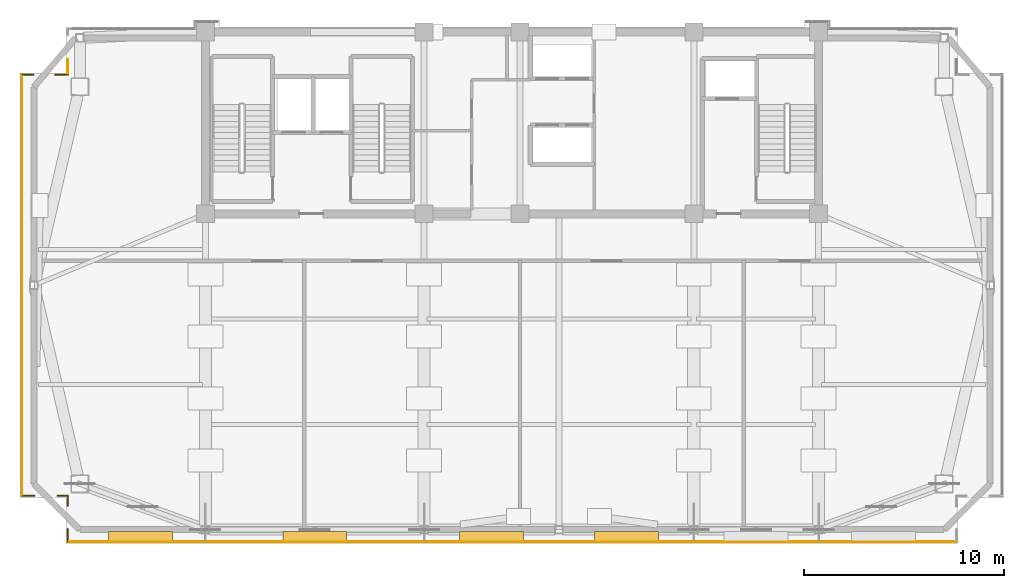
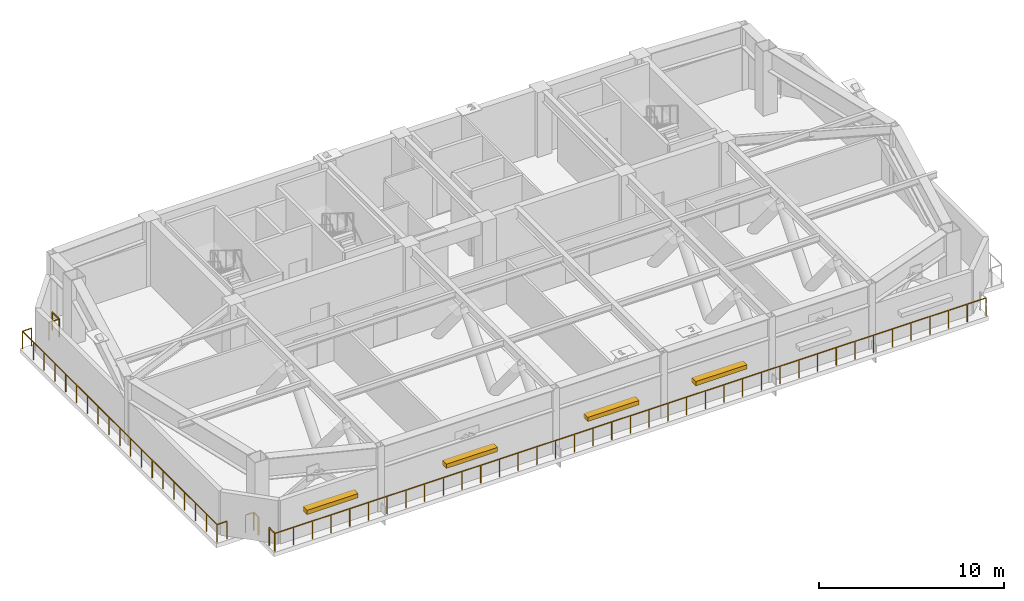
# One storey, part 5 of 7: 9 railings, 4 shading devices.
"""IFC4 building model written with IfcOpenShell, lengths in metres."""

from ifc_helpers import new_model, si_unit, direction, frame, origin, origin_2d, place, context, subcontext, project, spatial, rectangle, extrude, source, transform, mapped, material, type_object, element, save


model = new_model("IFC4")

# Units and contexts
model_context = context("Model", 3, precision=1e-05, world=origin(), true_north=direction((0.0, 1.0)))
body_context = subcontext(model_context, "Body", "Model", "MODEL_VIEW")
ifc_project = project(units=[si_unit("LENGTHUNIT", "METRE"), si_unit("AREAUNIT", "SQUARE_METRE"), si_unit("VOLUMEUNIT", "CUBIC_METRE"), si_unit("PLANEANGLEUNIT", "RADIAN"), si_unit("MASSUNIT", "GRAM", prefix="KILO")], contexts=[model_context])

# Site, building, storey
site_placement = place(None, origin())
site = spatial("IfcSite", under=ifc_project, at=site_placement, CompositionType="ELEMENT")
building_placement = place(site_placement, origin())
building = spatial("IfcBuilding", under=site, at=building_placement, Name="Giltprow Tower", CompositionType="ELEMENT")
storey_placement = place(building_placement, frame((0.0, 0.0, 327.800048828125)))
storey = spatial("IfcBuildingStorey", under=building, at=storey_placement, Name="L85", CompositionType="ELEMENT", Elevation=327.800048828125)

# Railings
ifc_material = material(Name="Anodized bronze", Category="metal")
railing_type = type_object("IfcRailingType", Name="RAIL-BALC-GUARD-1200", PredefinedType="BALUSTRADE", material=ifc_material)
railing_1_placement = place(storey_placement, frame((57.43798828125, 21.035888671875, 0.0)))
element("IfcRailing", 1, at=railing_1_placement, inside=storey, type_object=railing_type, Name="L85 Corner Apron Edge Balustrade 6", PredefinedType="BALUSTRADE", context=body_context, shape_type="SweptSolid", body=[
    extrude(rectangle(XDim=0.048095703125, YDim=0.048095703125, at=origin_2d()), frame((0.0, 0.0, 1.17578125), z_axis=(-1.0, 0.0, 0.0), x_axis=(0.0, -1.0, 0.0)), (0.0, 0.0, 1.0), 44.47607421875),
    extrude(rectangle(XDim=0.0419921875, YDim=0.0419921875, at=origin_2d()), origin(), (0.0, 0.0, 1.0), 1.15185546875),
    extrude(rectangle(XDim=0.0419921875, YDim=0.0419921875, at=origin_2d()), frame((-1.17041015625, 0.0, 0.0)), (0.0, 0.0, 1.0), 1.15185546875),
    extrude(rectangle(XDim=0.0419921875, YDim=0.0419921875, at=origin_2d()), frame((-2.3408203125, 0.0, 0.0)), (0.0, 0.0, 1.0), 1.15185546875),
    extrude(rectangle(XDim=0.0419921875, YDim=0.0419921875, at=origin_2d()), frame((-3.51123046875, 0.0, 0.0)), (0.0, 0.0, 1.0), 1.15185546875),
    extrude(rectangle(XDim=0.0419921875, YDim=0.0419921875, at=origin_2d()), frame((-4.681640625, 0.0, 0.0)), (0.0, 0.0, 1.0), 1.15185546875),
    extrude(rectangle(XDim=0.0419921875, YDim=0.0419921875, at=origin_2d()), frame((-5.85205078125, 0.0, 0.0)), (0.0, 0.0, 1.0), 1.15185546875),
    extrude(rectangle(XDim=0.0419921875, YDim=0.0419921875, at=origin_2d()), frame((-7.0224609375, 0.0, 0.0)), (0.0, 0.0, 1.0), 1.15185546875),
    extrude(rectangle(XDim=0.0419921875, YDim=0.0419921875, at=origin_2d()), frame((-8.19287109375, 0.0, 0.0)), (0.0, 0.0, 1.0), 1.15185546875),
    extrude(rectangle(XDim=0.0419921875, YDim=0.0419921875, at=origin_2d()), frame((-9.36328125, 0.0, 0.0)), (0.0, 0.0, 1.0), 1.15185546875),
    extrude(rectangle(XDim=0.0419921875, YDim=0.0419921875, at=origin_2d()), frame((-10.53369140625, 0.0, 0.0)), (0.0, 0.0, 1.0), 1.15185546875),
    extrude(rectangle(XDim=0.0419921875, YDim=0.0419921875, at=origin_2d()), frame((-11.704345703125, 0.0, 0.0)), (0.0, 0.0, 1.0), 1.15185546875),
    extrude(rectangle(XDim=0.0419921875, YDim=0.0419921875, at=origin_2d()), frame((-12.874755859375, 0.0, 0.0)), (0.0, 0.0, 1.0), 1.15185546875),
    extrude(rectangle(XDim=0.0419921875, YDim=0.0419921875, at=origin_2d()), frame((-14.045166015625, 0.0, 0.0)), (0.0, 0.0, 1.0), 1.15185546875),
    extrude(rectangle(XDim=0.0419921875, YDim=0.0419921875, at=origin_2d()), frame((-15.215576171875, 0.0, 0.0)), (0.0, 0.0, 1.0), 1.15185546875),
    extrude(rectangle(XDim=0.0419921875, YDim=0.0419921875, at=origin_2d()), frame((-16.385986328125, 0.0, 0.0)), (0.0, 0.0, 1.0), 1.15185546875),
    extrude(rectangle(XDim=0.0419921875, YDim=0.0419921875, at=origin_2d()), frame((-17.556396484375, 0.0, 0.0)), (0.0, 0.0, 1.0), 1.15185546875),
    extrude(rectangle(XDim=0.0419921875, YDim=0.0419921875, at=origin_2d()), frame((-18.726806640625, 0.0, 0.0)), (0.0, 0.0, 1.0), 1.15185546875),
    extrude(rectangle(XDim=0.0419921875, YDim=0.0419921875, at=origin_2d()), frame((-19.897216796875, 0.0, 0.0)), (0.0, 0.0, 1.0), 1.15185546875),
    extrude(rectangle(XDim=0.0419921875, YDim=0.0419921875, at=origin_2d()), frame((-21.067626953125, 0.0, 0.0)), (0.0, 0.0, 1.0), 1.15185546875),
    extrude(rectangle(XDim=0.0419921875, YDim=0.0419921875, at=origin_2d()), frame((-22.238037109375, 0.0, 0.0)), (0.0, 0.0, 1.0), 1.15185546875),
    extrude(rectangle(XDim=0.0419921875, YDim=0.0419921875, at=origin_2d()), frame((-23.408447265625, 0.0, 0.0)), (0.0, 0.0, 1.0), 1.15185546875),
    extrude(rectangle(XDim=0.0419921875, YDim=0.0419921875, at=origin_2d()), frame((-24.578857421875, 0.0, 0.0)), (0.0, 0.0, 1.0), 1.15185546875),
    extrude(rectangle(XDim=0.0419921875, YDim=0.0419921875, at=origin_2d()), frame((-25.749267578125, 0.0, 0.0)), (0.0, 0.0, 1.0), 1.15185546875),
    extrude(rectangle(XDim=0.0419921875, YDim=0.0419921875, at=origin_2d()), frame((-26.919677734375, 0.0, 0.0)), (0.0, 0.0, 1.0), 1.15185546875),
    extrude(rectangle(XDim=0.0419921875, YDim=0.0419921875, at=origin_2d()), frame((-28.090087890625, 0.0, 0.0)), (0.0, 0.0, 1.0), 1.15185546875),
    extrude(rectangle(XDim=0.0419921875, YDim=0.0419921875, at=origin_2d()), frame((-29.260498046875, 0.0, 0.0)), (0.0, 0.0, 1.0), 1.15185546875),
    extrude(rectangle(XDim=0.0419921875, YDim=0.0419921875, at=origin_2d()), frame((-30.430908203125, 0.0, 0.0)), (0.0, 0.0, 1.0), 1.15185546875),
    extrude(rectangle(XDim=0.0419921875, YDim=0.0419921875, at=origin_2d()), frame((-31.601318359375, 0.0, 0.0)), (0.0, 0.0, 1.0), 1.15185546875),
    extrude(rectangle(XDim=0.0419921875, YDim=0.0419921875, at=origin_2d()), frame((-32.771728515625, 0.0, 0.0)), (0.0, 0.0, 1.0), 1.15185546875),
    extrude(rectangle(XDim=0.0419921875, YDim=0.0419921875, at=origin_2d()), frame((-33.9423828125, 0.0, 0.0)), (0.0, 0.0, 1.0), 1.15185546875),
    extrude(rectangle(XDim=0.0419921875, YDim=0.0419921875, at=origin_2d()), frame((-35.11279296875, 0.0, 0.0)), (0.0, 0.0, 1.0), 1.15185546875),
    extrude(rectangle(XDim=0.0419921875, YDim=0.0419921875, at=origin_2d()), frame((-36.283203125, 0.0, 0.0)), (0.0, 0.0, 1.0), 1.15185546875),
    extrude(rectangle(XDim=0.0419921875, YDim=0.0419921875, at=origin_2d()), frame((-37.45361328125, 0.0, 0.0)), (0.0, 0.0, 1.0), 1.15185546875),
    extrude(rectangle(XDim=0.0419921875, YDim=0.0419921875, at=origin_2d()), frame((-38.6240234375, 0.0, 0.0)), (0.0, 0.0, 1.0), 1.15185546875),
    extrude(rectangle(XDim=0.0419921875, YDim=0.0419921875, at=origin_2d()), frame((-39.79443359375, 0.0, 0.0)), (0.0, 0.0, 1.0), 1.15185546875),
    extrude(rectangle(XDim=0.0419921875, YDim=0.0419921875, at=origin_2d()), frame((-40.96484375, 0.0, 0.0)), (0.0, 0.0, 1.0), 1.15185546875),
    extrude(rectangle(XDim=0.0419921875, YDim=0.0419921875, at=origin_2d()), frame((-42.13525390625, 0.0, 0.0)), (0.0, 0.0, 1.0), 1.15185546875),
    extrude(rectangle(XDim=0.0419921875, YDim=0.0419921875, at=origin_2d()), frame((-43.3056640625, 0.0, 0.0)), (0.0, 0.0, 1.0), 1.15185546875),
    extrude(rectangle(XDim=0.0419921875, YDim=0.0419921875, at=origin_2d()), frame((-44.47607421875, 0.0, 0.0)), (0.0, 0.0, 1.0), 1.15185546875),
])
railing_2_placement = place(storey_placement, frame((12.9619140625, 21.035888671875, 0.0)))
element("IfcRailing", 2, at=railing_2_placement, inside=storey, type_object=railing_type, Name="L85 Corner Apron Edge Balustrade 7", PredefinedType="BALUSTRADE", context=body_context, shape_type="SweptSolid", body=[
    extrude(rectangle(XDim=0.048095703125, YDim=0.048095703125, at=origin_2d()), frame((0.0, 0.0, 1.17578125), z_axis=(0.0, 1.0, 0.0), x_axis=(-1.0, 0.0, 0.0)), (0.0, 0.0, 1.0), 0.6201171875),
    extrude(rectangle(XDim=0.0419921875, YDim=0.0419921875, at=origin_2d()), origin(), (0.0, 0.0, 1.0), 1.15185546875),
    extrude(rectangle(XDim=0.0419921875, YDim=0.0419921875, at=origin_2d()), frame((0.0, 0.6201171875, 0.0)), (0.0, 0.0, 1.0), 1.15185546875),
])
railing_3_placement = place(storey_placement, frame((12.9619140625, 22.81591796875, 0.0)))
element("IfcRailing", 3, at=railing_3_placement, inside=storey, type_object=railing_type, Name="L85 Corner Apron Edge Balustrade 8", PredefinedType="BALUSTRADE", context=body_context, shape_type="SweptSolid", body=[
    extrude(rectangle(XDim=0.048095703125, YDim=0.048095703125, at=origin_2d()), frame((0.0, 0.0, 1.17578125), z_axis=(0.0, 1.0, 0.0), x_axis=(-1.0, 0.0, 0.0)), (0.0, 0.0, 1.0), 0.511962890625),
    extrude(rectangle(XDim=0.0419921875, YDim=0.0419921875, at=origin_2d()), origin(), (0.0, 0.0, 1.0), 1.15185546875),
    extrude(rectangle(XDim=0.0419921875, YDim=0.0419921875, at=origin_2d()), frame((0.0, 0.511962890625, 0.0)), (0.0, 0.0, 1.0), 1.15185546875),
])
railing_4_placement = place(storey_placement, frame((12.9619140625, 23.327880859375, 0.0)))
element("IfcRailing", 4, at=railing_4_placement, inside=storey, type_object=railing_type, Name="L85 Corner Apron Edge Balustrade 9", PredefinedType="BALUSTRADE", context=body_context, shape_type="SweptSolid", body=[
    extrude(rectangle(XDim=0.048095703125, YDim=0.048095703125, at=origin_2d()), frame((0.0, 0.0, 1.17578125), z_axis=(-1.0, 0.0, 0.0), x_axis=(0.0, -1.0, 0.0)), (0.0, 0.0, 1.0), 0.511962890625),
    extrude(rectangle(XDim=0.0419921875, YDim=0.0419921875, at=origin_2d()), origin(), (0.0, 0.0, 1.0), 1.15185546875),
    extrude(rectangle(XDim=0.0419921875, YDim=0.0419921875, at=origin_2d()), frame((-0.511962890625, 0.0, 0.0)), (0.0, 0.0, 1.0), 1.15185546875),
])
railing_5_placement = place(storey_placement, frame((11.2900390625, 23.327880859375, 0.0)))
element("IfcRailing", 5, at=railing_5_placement, inside=storey, type_object=railing_type, Name="L85 Corner Apron Edge Balustrade 10", PredefinedType="BALUSTRADE", context=body_context, shape_type="SweptSolid", body=[
    extrude(rectangle(XDim=0.048095703125, YDim=0.048095703125, at=origin_2d()), frame((0.0, 0.0, 1.17578125), z_axis=(-1.0, 0.0, 0.0), x_axis=(0.0, -1.0, 0.0)), (0.0, 0.0, 1.0), 0.6201171875),
    extrude(rectangle(XDim=0.0419921875, YDim=0.0419921875, at=origin_2d()), origin(), (0.0, 0.0, 1.0), 1.15185546875),
    extrude(rectangle(XDim=0.0419921875, YDim=0.0419921875, at=origin_2d()), frame((-0.6201171875, 0.0, 0.0)), (0.0, 0.0, 1.0), 1.15185546875),
])
railing_6_placement = place(storey_placement, frame((10.669921875, 23.327880859375, 0.0)))
element("IfcRailing", 6, at=railing_6_placement, inside=storey, type_object=railing_type, Name="L85 Corner Apron Edge Balustrade 11", PredefinedType="BALUSTRADE", context=body_context, shape_type="SweptSolid", body=[
    extrude(rectangle(XDim=0.048095703125, YDim=0.048095703125, at=origin_2d()), frame((0.0, 0.0, 1.17578125), z_axis=(0.0, 1.0, 0.0), x_axis=(-1.0, 0.0, 0.0)), (0.0, 0.0, 1.0), 21.080078125),
    extrude(rectangle(XDim=0.0419921875, YDim=0.0419921875, at=origin_2d()), origin(), (0.0, 0.0, 1.0), 1.15185546875),
    extrude(rectangle(XDim=0.0419921875, YDim=0.0419921875, at=origin_2d()), frame((0.0, 1.171142578125, 0.0)), (0.0, 0.0, 1.0), 1.15185546875),
    extrude(rectangle(XDim=0.0419921875, YDim=0.0419921875, at=origin_2d()), frame((0.0, 2.34228515625, 0.0)), (0.0, 0.0, 1.0), 1.15185546875),
    extrude(rectangle(XDim=0.0419921875, YDim=0.0419921875, at=origin_2d()), frame((0.0, 3.513427734375, 0.0)), (0.0, 0.0, 1.0), 1.15185546875),
    extrude(rectangle(XDim=0.0419921875, YDim=0.0419921875, at=origin_2d()), frame((0.0, 4.6845703125, 0.0)), (0.0, 0.0, 1.0), 1.15185546875),
    extrude(rectangle(XDim=0.0419921875, YDim=0.0419921875, at=origin_2d()), frame((0.0, 5.85546875, 0.0)), (0.0, 0.0, 1.0), 1.15185546875),
    extrude(rectangle(XDim=0.0419921875, YDim=0.0419921875, at=origin_2d()), frame((0.0, 7.026611328125, 0.0)), (0.0, 0.0, 1.0), 1.15185546875),
    extrude(rectangle(XDim=0.0419921875, YDim=0.0419921875, at=origin_2d()), frame((0.0, 8.19775390625, 0.0)), (0.0, 0.0, 1.0), 1.15185546875),
    extrude(rectangle(XDim=0.0419921875, YDim=0.0419921875, at=origin_2d()), frame((0.0, 9.368896484375, 0.0)), (0.0, 0.0, 1.0), 1.15185546875),
    extrude(rectangle(XDim=0.0419921875, YDim=0.0419921875, at=origin_2d()), frame((0.0, 10.5400390625, 0.0)), (0.0, 0.0, 1.0), 1.15185546875),
    extrude(rectangle(XDim=0.0419921875, YDim=0.0419921875, at=origin_2d()), frame((0.0, 11.711181640625, 0.0)), (0.0, 0.0, 1.0), 1.15185546875),
    extrude(rectangle(XDim=0.0419921875, YDim=0.0419921875, at=origin_2d()), frame((0.0, 12.88232421875, 0.0)), (0.0, 0.0, 1.0), 1.15185546875),
    extrude(rectangle(XDim=0.0419921875, YDim=0.0419921875, at=origin_2d()), frame((0.0, 14.053466796875, 0.0)), (0.0, 0.0, 1.0), 1.15185546875),
    extrude(rectangle(XDim=0.0419921875, YDim=0.0419921875, at=origin_2d()), frame((0.0, 15.224609375, 0.0)), (0.0, 0.0, 1.0), 1.15185546875),
    extrude(rectangle(XDim=0.0419921875, YDim=0.0419921875, at=origin_2d()), frame((0.0, 16.3955078125, 0.0)), (0.0, 0.0, 1.0), 1.15185546875),
    extrude(rectangle(XDim=0.0419921875, YDim=0.0419921875, at=origin_2d()), frame((0.0, 17.566650390625, 0.0)), (0.0, 0.0, 1.0), 1.15185546875),
    extrude(rectangle(XDim=0.0419921875, YDim=0.0419921875, at=origin_2d()), frame((0.0, 18.73779296875, 0.0)), (0.0, 0.0, 1.0), 1.15185546875),
    extrude(rectangle(XDim=0.0419921875, YDim=0.0419921875, at=origin_2d()), frame((0.0, 19.908935546875, 0.0)), (0.0, 0.0, 1.0), 1.15185546875),
    extrude(rectangle(XDim=0.0419921875, YDim=0.0419921875, at=origin_2d()), frame((0.0, 21.080078125, 0.0)), (0.0, 0.0, 1.0), 1.15185546875),
])
railing_7_placement = place(storey_placement, frame((10.669921875, 44.407958984375, 0.0)))
element("IfcRailing", 7, at=railing_7_placement, inside=storey, type_object=railing_type, Name="L85 Corner Apron Edge Balustrade 12", PredefinedType="BALUSTRADE", context=body_context, shape_type="SweptSolid", body=[
    extrude(rectangle(XDim=0.048095703125, YDim=0.048095703125, at=origin_2d()), frame((0.0, 0.0, 1.17578125), z_axis=(1.0, 0.0, 0.0), x_axis=(0.0, 1.0, 0.0)), (0.0, 0.0, 1.0), 0.573974609375),
    extrude(rectangle(XDim=0.0419921875, YDim=0.0419921875, at=origin_2d()), origin(), (0.0, 0.0, 1.0), 1.15185546875),
    extrude(rectangle(XDim=0.0419921875, YDim=0.0419921875, at=origin_2d()), frame((0.573974609375, 0.0, 0.0)), (0.0, 0.0, 1.0), 1.15185546875),
])
railing_8_placement = place(storey_placement, frame((12.323974609375, 44.407958984375, 0.0)))
element("IfcRailing", 8, at=railing_8_placement, inside=storey, type_object=railing_type, Name="L85 Corner Apron Edge Balustrade 13", PredefinedType="BALUSTRADE", context=body_context, shape_type="SweptSolid", body=[
    extrude(rectangle(XDim=0.048095703125, YDim=0.048095703125, at=origin_2d()), frame((0.0, 0.0, 1.17578125), z_axis=(1.0, 0.0, 0.0), x_axis=(0.0, 1.0, 0.0)), (0.0, 0.0, 1.0), 0.637939453125),
    extrude(rectangle(XDim=0.0419921875, YDim=0.0419921875, at=origin_2d()), origin(), (0.0, 0.0, 1.0), 1.15185546875),
    extrude(rectangle(XDim=0.0419921875, YDim=0.0419921875, at=origin_2d()), frame((0.637939453125, 0.0, 0.0)), (0.0, 0.0, 1.0), 1.15185546875),
])
railing_9_placement = place(storey_placement, frame((12.9619140625, 44.407958984375, 0.0)))
element("IfcRailing", 9, at=railing_9_placement, inside=storey, type_object=railing_type, Name="L85 Corner Apron Edge Balustrade 14", PredefinedType="BALUSTRADE", context=body_context, shape_type="SweptSolid", body=[
    extrude(rectangle(XDim=0.048095703125, YDim=0.048095703125, at=origin_2d()), frame((0.0, 0.0, 1.17578125), z_axis=(0.0, 1.0, 0.0), x_axis=(-1.0, 0.0, 0.0)), (0.0, 0.0, 1.0), 0.7451171875),
    extrude(rectangle(XDim=0.0419921875, YDim=0.0419921875, at=origin_2d()), origin(), (0.0, 0.0, 1.0), 1.15185546875),
    extrude(rectangle(XDim=0.0419921875, YDim=0.0419921875, at=origin_2d()), frame((0.0, 0.7451171875, 0.0)), (0.0, 0.0, 1.0), 1.15185546875),
])

# Shading devices
shading_device_type = type_object("IfcShadingDeviceType", Name="SHD-LOUVRE-320", PredefinedType="JALOUSIE", material=ifc_material)
shared_shape = source(origin(), body_context, "Body", "SweptSolid", [
    extrude(rectangle(XDim=3.199951171875, YDim=0.449951171875, at=origin_2d()), origin(), (0.0, 0.0, 1.0), 0.280029296875),
])
for number, where, z_axis, x_axis, name in (
    (10, (16.60595703125, 21.325927734375, 1.66015625), (0.0, 0.0, 1.0), (1.0, 0.0, 0.0), "L85 Refuge Intake Louvre S-1"),
    (11, (25.324951171875, 21.325927734375, 1.66015625), (0.0, 0.0, 1.0), (1.0, 0.0, 0.0), "L85 Refuge Intake Louvre S-2"),
    (12, (34.175048828125, 21.325927734375, 1.66015625), (0.0, 0.0, 1.0), (1.0, 0.0, 0.0), "L85 Refuge Intake Louvre S-3"),
    (13, (40.925048828125, 21.325927734375, 1.66015625), (0.0, 0.0, 1.0), (1.0, 0.0, 0.0), "L85 Refuge Intake Louvre S-4"),
):
    element("IfcShadingDevice", number, at=place(storey_placement, frame(where, z_axis=z_axis, x_axis=x_axis)), inside=storey, type_object=shading_device_type, Name=name, PredefinedType="JALOUSIE", context=body_context, shape_type="MappedRepresentation", body=[
        mapped(shared_shape, transform((0.0, 0.0, 0.0), x_axis=(1.0, 0.0, 0.0), y_axis=(0.0, 1.0, 0.0), z_axis=(0.0, 0.0, 1.0), scale=1.0)),
    ])

save(model, "model.ifc")
